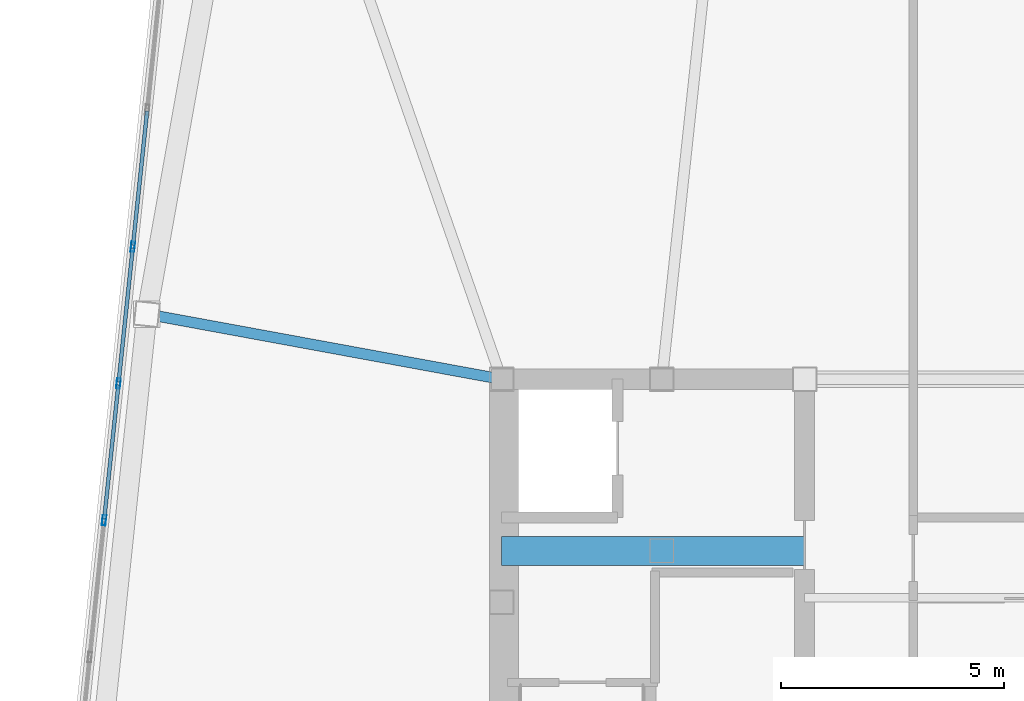
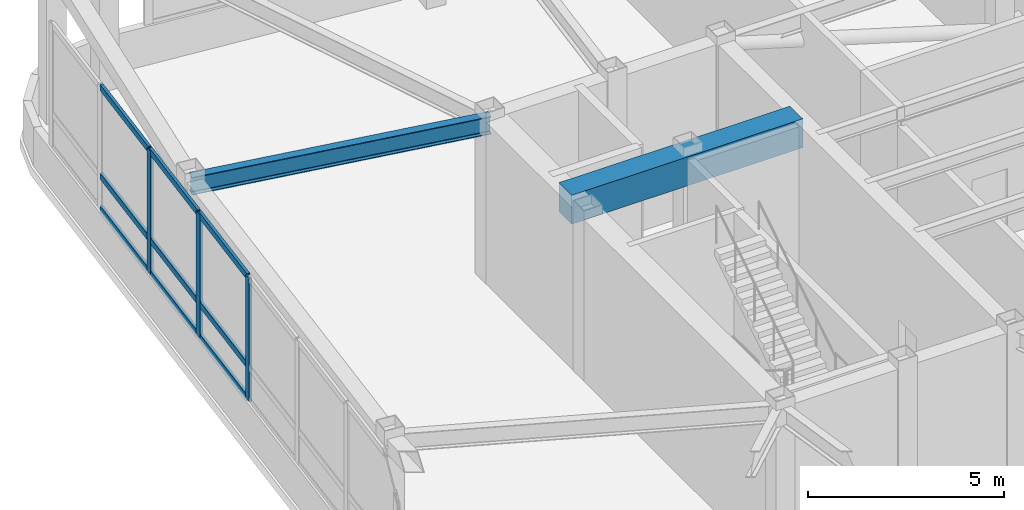
# One storey, part 7 of 23: 12 members, 2 beams, 1 element without a shape of its own.
"""IFC4 building model written with IfcOpenShell, lengths in metres."""

from ifc_helpers import new_model, si_unit, direction, frame, origin, origin_2d, place, context, subcontext, project, spatial, rectangle, hollow_rectangle, i_section, extrude, material, layer, layer_set, material_profile, profile_set, type_object, element, aggregate, save


model = new_model("IFC4")

# Units and contexts
model_context = context("Model", 3, precision=1e-05, world=origin(), true_north=direction((0.0, 1.0)))
body_context = subcontext(model_context, "Body", "Model", "MODEL_VIEW")
ifc_project = project(units=[si_unit("LENGTHUNIT", "METRE"), si_unit("AREAUNIT", "SQUARE_METRE"), si_unit("VOLUMEUNIT", "CUBIC_METRE"), si_unit("PLANEANGLEUNIT", "RADIAN"), si_unit("MASSUNIT", "GRAM", prefix="KILO")], contexts=[model_context])

# Site, building, storey
site_placement = place(None, origin())
site = spatial("IfcSite", under=ifc_project, at=site_placement, CompositionType="ELEMENT")
building_placement = place(site_placement, origin())
building = spatial("IfcBuilding", under=site, at=building_placement, Name="Voryun Gate Residences", CompositionType="ELEMENT")
storey_placement = place(building_placement, frame((0.0, 0.0, 326.60009765625)))
storey = spatial("IfcBuildingStorey", under=building, at=storey_placement, Name="L80", CompositionType="ELEMENT", Elevation=326.60009765625)

# Beams
ifc_material_1 = material(Name="Concrete C60/75", Category="concrete")
ifc_material_profile_1 = material_profile(ifc_material_1, rectangle(XDim=0.64990234375, YDim=0.89990234375, at=origin_2d()), Name="RC-650x900")
ifc_profile_set_1 = profile_set([ifc_material_profile_1], Name="Concrete C60/75")
beam_type_1 = type_object("IfcBeamType", Name="BM_COUP_RC900", PredefinedType="LINTEL", material=ifc_profile_set_1)
beam_1_placement = place(storey_placement, frame((-19.199951171875, 3.550048828125, 4.574951171875), z_axis=(1.0, 0.0, 0.0), x_axis=(0.0, 1.0, 0.0)))
element("IfcBeam", 1, at=beam_1_placement, inside=storey, type_object=beam_type_1, Name="BM-L80-WC1", PredefinedType="LINTEL", context=body_context, shape_type="SweptSolid", body=[
    extrude(rectangle(XDim=0.64990234375, YDim=0.89990234375, at=origin_2d()), origin(), (0.0, 0.0, 1.0), 6.800048828125),
])
ifc_material_2 = material(Name="Steel SM355", Category="steel")
ifc_material_profile_2 = material_profile(ifc_material_2, i_section(OverallWidth=0.239990234375, OverallDepth=0.550048828125, WebThickness=0.011962890625, FlangeThickness=0.02001953125, FilletRadius=0.01806640625, at=origin_2d()), Name="H-550x240x12x20")
ifc_profile_set_2 = profile_set([ifc_material_profile_2], Name="Steel SM355")
beam_type_2 = type_object("IfcBeamType", Name="BM_GIRD_550", PredefinedType="USERDEFINED", material=ifc_profile_set_2)
beam_2_placement = place(storey_placement, frame((-19.199951171875, 7.39990234375, 4.75), z_axis=(-0.983548260318, 0.180645563534, 0.0), x_axis=(-0.180645563534, -0.983548260318, 0.0)))
element("IfcBeam", 2, at=beam_2_placement, inside=storey, type_object=beam_type_2, Name="BM-L80-RAD-W1", ObjectType="GIRDER", PredefinedType="USERDEFINED", context=body_context, shape_type="SweptSolid", body=[
    extrude(i_section(OverallWidth=0.239990234375, OverallDepth=0.550048828125, WebThickness=0.011962890625, FlangeThickness=0.02001953125, FilletRadius=0.01806640625, at=origin_2d()), origin(), (0.0, 0.0, 1.0), 8.09130859375),
])

# Curtain wall, members
ifc_material_3 = material(Name="Anodised aluminium", Category="aluminium")
ifc_layer = layer(ifc_material_3, 0.22998046875, Name="CW_SYS_LANTERN_DARK_GLASS")
ifc_layer_set = layer_set([ifc_layer], Name="Anodised aluminium")
curtain_wall_type = type_object("IfcCurtainWallType", Name="CW_SYS_LANTERN_DARK_GLASS", PredefinedType="NOTDEFINED", material=ifc_layer_set)
curtain_wall_placement = place(storey_placement, origin())
curtain_wall = element("IfcCurtainWall", 3, at=curtain_wall_placement, inside=storey, type_object=curtain_wall_type, Name="Curtain wall CW6-L80-06", PredefinedType="NOTDEFINED")
ifc_material_4 = material(Name="Anodised aluminium", Category="aluminium")
ifc_material_profile_3 = material_profile(ifc_material_4, hollow_rectangle(XDim=0.0849609375, YDim=0.22998046875, WallThickness=0.006103515625, at=origin_2d()), Name="ALU-MULL-230x85x6")
ifc_profile_set_3 = profile_set([ifc_material_profile_3], Name="Anodised aluminium")
member_type_1 = type_object("IfcMemberType", Name="CW_MULL_LANT", PredefinedType="MULLION", material=ifc_profile_set_3)
member_1_placement = place(storey_placement, frame((-28.1171875, 4.234375, 1.18994140625), z_axis=(0.0, 0.0, 1.0), x_axis=(-0.994521943608, 0.104528004296, 0.0)))
member_1 = element("IfcMember", 4, at=member_1_placement, type_object=member_type_1, Name="CW6 mullion 6", PredefinedType="MULLION", context=body_context, shape_type="SweptSolid", body=[
    extrude(hollow_rectangle(XDim=0.0849609375, YDim=0.22998046875, WallThickness=0.006103515625, at=origin_2d()), origin(), (0.0, 0.0, 1.0), 3.8349609375),
])
member_2_placement = place(storey_placement, frame((-27.79443359375, 7.305419921875, 1.18994140625), z_axis=(0.0, 0.0, 1.0), x_axis=(-0.994521943608, 0.104528004296, 0.0)))
member_2 = element("IfcMember", 5, at=member_2_placement, type_object=member_type_1, Name="CW6 mullion 7", PredefinedType="MULLION", context=body_context, shape_type="SweptSolid", body=[
    extrude(hollow_rectangle(XDim=0.0849609375, YDim=0.22998046875, WallThickness=0.006103515625, at=origin_2d()), origin(), (0.0, 0.0, 1.0), 3.8349609375),
])
member_3_placement = place(storey_placement, frame((-27.4716796875, 10.376220703125, 1.18994140625), z_axis=(0.0, 0.0, 1.0), x_axis=(-0.994521943608, 0.104528004296, 0.0)))
member_3 = element("IfcMember", 6, at=member_3_placement, type_object=member_type_1, Name="CW6 mullion 8", PredefinedType="MULLION", context=body_context, shape_type="SweptSolid", body=[
    extrude(hollow_rectangle(XDim=0.0849609375, YDim=0.22998046875, WallThickness=0.006103515625, at=origin_2d()), origin(), (0.0, 0.0, 1.0), 3.8349609375),
])
ifc_material_5 = material(Name="Anodised aluminium", Category="aluminium")
ifc_material_profile_4 = material_profile(ifc_material_5, hollow_rectangle(XDim=0.0849609375, YDim=0.18994140625, WallThickness=0.006103515625, at=origin_2d()), Name="ALU-TRAN-190x85x6")
ifc_profile_set_4 = profile_set([ifc_material_profile_4], Name="Anodised aluminium")
member_type_2 = type_object("IfcMemberType", Name="CW_TRAN_LANT", PredefinedType="USERDEFINED", material=ifc_profile_set_4)
member_4_placement = place(storey_placement, frame((-28.114013671875, 4.26416015625, 1.219970703125), z_axis=(0.104500100479, 0.994524876009, 0.0), x_axis=(-0.994524876009, 0.104500100479, 0.0)))
member_4 = element("IfcMember", 7, at=member_4_placement, type_object=member_type_2, Name="CW6 transom 6.1", ObjectType="TRANSOM", PredefinedType="USERDEFINED", context=body_context, shape_type="SweptSolid", body=[
    extrude(hollow_rectangle(XDim=0.0849609375, YDim=0.18994140625, WallThickness=0.006103515625, at=origin_2d()), origin(), (0.0, 0.0, 1.0), 3.02783203125),
])
member_5_placement = place(storey_placement, frame((-28.114013671875, 4.26416015625, 2.239990234375), z_axis=(0.104500100479, 0.994524876009, 0.0), x_axis=(-0.994524876009, 0.104500100479, 0.0)))
member_5 = element("IfcMember", 8, at=member_5_placement, type_object=member_type_2, Name="CW6 transom 6.2", ObjectType="TRANSOM", PredefinedType="USERDEFINED", context=body_context, shape_type="SweptSolid", body=[
    extrude(hollow_rectangle(XDim=0.0849609375, YDim=0.18994140625, WallThickness=0.006103515625, at=origin_2d()), origin(), (0.0, 0.0, 1.0), 3.02783203125),
])
member_6_placement = place(storey_placement, frame((-28.114013671875, 4.26416015625, 4.994873046875), z_axis=(0.104500100479, 0.994524876009, 0.0), x_axis=(-0.994524876009, 0.104500100479, 0.0)))
member_6 = element("IfcMember", 9, at=member_6_placement, type_object=member_type_2, Name="CW6 transom 6.3", ObjectType="TRANSOM", PredefinedType="USERDEFINED", context=body_context, shape_type="SweptSolid", body=[
    extrude(hollow_rectangle(XDim=0.0849609375, YDim=0.18994140625, WallThickness=0.006103515625, at=origin_2d()), origin(), (0.0, 0.0, 1.0), 3.02783203125),
])
member_7_placement = place(storey_placement, frame((-27.791259765625, 7.335205078125, 1.219970703125), z_axis=(0.104500100479, 0.994524876009, 0.0), x_axis=(-0.994524876009, 0.104500100479, 0.0)))
member_7 = element("IfcMember", 10, at=member_7_placement, type_object=member_type_2, Name="CW6 transom 7.1", ObjectType="TRANSOM", PredefinedType="USERDEFINED", context=body_context, shape_type="SweptSolid", body=[
    extrude(hollow_rectangle(XDim=0.0849609375, YDim=0.18994140625, WallThickness=0.006103515625, at=origin_2d()), origin(), (0.0, 0.0, 1.0), 3.02783203125),
])
member_8_placement = place(storey_placement, frame((-27.791259765625, 7.335205078125, 2.239990234375), z_axis=(0.104500100479, 0.994524876009, 0.0), x_axis=(-0.994524876009, 0.104500100479, 0.0)))
member_8 = element("IfcMember", 11, at=member_8_placement, type_object=member_type_2, Name="CW6 transom 7.2", ObjectType="TRANSOM", PredefinedType="USERDEFINED", context=body_context, shape_type="SweptSolid", body=[
    extrude(hollow_rectangle(XDim=0.0849609375, YDim=0.18994140625, WallThickness=0.006103515625, at=origin_2d()), origin(), (0.0, 0.0, 1.0), 3.02783203125),
])
member_9_placement = place(storey_placement, frame((-27.791259765625, 7.335205078125, 4.994873046875), z_axis=(0.104500100479, 0.994524876009, 0.0), x_axis=(-0.994524876009, 0.104500100479, 0.0)))
member_9 = element("IfcMember", 12, at=member_9_placement, type_object=member_type_2, Name="CW6 transom 7.3", ObjectType="TRANSOM", PredefinedType="USERDEFINED", context=body_context, shape_type="SweptSolid", body=[
    extrude(hollow_rectangle(XDim=0.0849609375, YDim=0.18994140625, WallThickness=0.006103515625, at=origin_2d()), origin(), (0.0, 0.0, 1.0), 3.02783203125),
])
member_10_placement = place(storey_placement, frame((-27.468505859375, 10.406005859375, 1.219970703125), z_axis=(0.104500100479, 0.994524876009, 0.0), x_axis=(-0.994524876009, 0.104500100479, 0.0)))
member_10 = element("IfcMember", 13, at=member_10_placement, type_object=member_type_2, Name="CW6 transom 8.1", ObjectType="TRANSOM", PredefinedType="USERDEFINED", context=body_context, shape_type="SweptSolid", body=[
    extrude(hollow_rectangle(XDim=0.0849609375, YDim=0.18994140625, WallThickness=0.006103515625, at=origin_2d()), origin(), (0.0, 0.0, 1.0), 3.02783203125),
])
member_11_placement = place(storey_placement, frame((-27.468505859375, 10.406005859375, 2.239990234375), z_axis=(0.104500100479, 0.994524876009, 0.0), x_axis=(-0.994524876009, 0.104500100479, 0.0)))
member_11 = element("IfcMember", 14, at=member_11_placement, type_object=member_type_2, Name="CW6 transom 8.2", ObjectType="TRANSOM", PredefinedType="USERDEFINED", context=body_context, shape_type="SweptSolid", body=[
    extrude(hollow_rectangle(XDim=0.0849609375, YDim=0.18994140625, WallThickness=0.006103515625, at=origin_2d()), origin(), (0.0, 0.0, 1.0), 3.02783203125),
])
member_12_placement = place(storey_placement, frame((-27.468505859375, 10.406005859375, 4.994873046875), z_axis=(0.104500100479, 0.994524876009, 0.0), x_axis=(-0.994524876009, 0.104500100479, 0.0)))
member_12 = element("IfcMember", 15, at=member_12_placement, type_object=member_type_2, Name="CW6 transom 8.3", ObjectType="TRANSOM", PredefinedType="USERDEFINED", context=body_context, shape_type="SweptSolid", body=[
    extrude(hollow_rectangle(XDim=0.0849609375, YDim=0.18994140625, WallThickness=0.006103515625, at=origin_2d()), origin(), (0.0, 0.0, 1.0), 3.02783203125),
])
aggregate(curtain_wall, [member_1, member_2, member_3, member_4, member_5, member_6, member_7, member_8, member_9, member_10, member_11, member_12])

save(model, "model.ifc")
